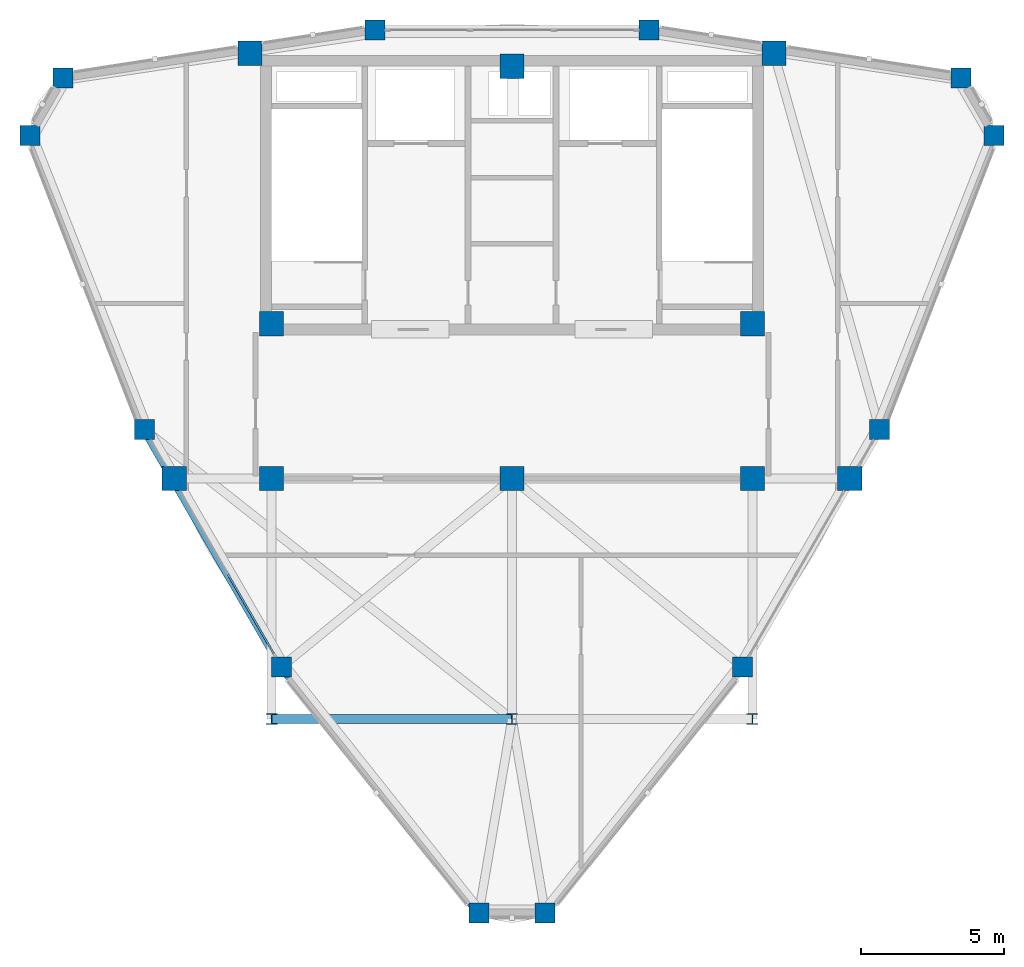
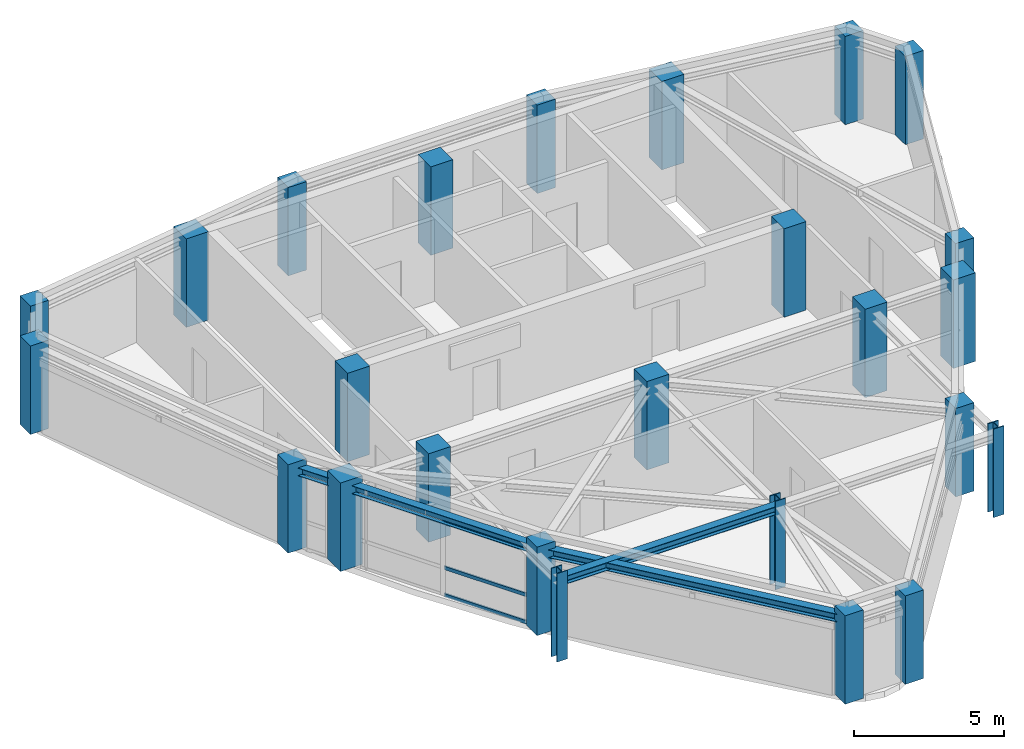
# One storey, part 1 of 13: 25 columns, 3 beams, 3 members, 1 element without a shape of its own.
"""IFC4 building model written with IfcOpenShell, lengths in metres."""

import ifcopenshell
import ifcopenshell.guid

model = None  # the IFC model being written
_history = None  # IfcOwnerHistory: only IFC2X3 demands one
_inside = {}  # id of a spatial element -> (the spatial element, [elements in it])
_under = {}  # id of a project, library or spatial element -> (it, [spatial elements below it])
_declared = {}  # id of a project -> (the project, [libraries it declares])
_typed = {}  # id of a type object -> (the type object, [elements of that type])
_made_of = {}  # id of a material, layer set ... -> (it, [elements and type objects made of it])


def new_model(schema):
    """Start an empty IFC model of exactly this schema.

    Asked for "IFC4X3", IfcOpenShell would pick the latest addendum, in which some entities
    have other attributes; the version numbers below select the first issue.
    IFC2X3 requires an IfcOwnerHistory on every rooted entity: one is made here for all.
    """
    global model, _history
    if schema == "IFC4X3":
        model = ifcopenshell.file(schema_version=(4, 3, 0, 0))
    else:
        model = ifcopenshell.file(schema=schema)
    _inside.clear()
    _under.clear()
    _declared.clear()
    _typed.clear()
    _made_of.clear()
    _history = None
    if model.schema == "IFC2X3":
        org = make("IfcOrganization", Name="unknown")
        user = make(
            "IfcPersonAndOrganization",
            ThePerson=make("IfcPerson", FamilyName="unknown"),
            TheOrganization=org,
        )
        app = make(
            "IfcApplication",
            ApplicationDeveloper=org,
            Version="unknown",
            ApplicationFullName="unknown",
            ApplicationIdentifier="unknown",
        )
        _history = make(
            "IfcOwnerHistory",
            OwningUser=user,
            OwningApplication=app,
            ChangeAction="ADDED",
            CreationDate=0,
        )
    return model


def make(cls, **values):
    """One entity of the class cls with the attributes given. An attribute that is None is left unset."""
    return model.create_entity(
        cls, **{name: value for name, value in values.items() if value is not None}
    )


def rooted(cls, **values):
    """An entity with a GlobalId (a new one), such as an element, a storey or a relation."""
    return make(cls, GlobalId=ifcopenshell.guid.new(), OwnerHistory=_history, **values)


def si_unit(unit_type, name, prefix=None):
    """IfcSIUnit, for example si_unit("LENGTHUNIT", "METRE", prefix="MILLI")."""
    return make("IfcSIUnit", UnitType=unit_type, Prefix=prefix, Name=name)


def derived_unit(unit_type, elements):
    """IfcDerivedUnit: a product of units, each with its exponent."""
    return make(
        "IfcDerivedUnit",
        Elements=[
            make("IfcDerivedUnitElement", Unit=unit, Exponent=power)
            for unit, power in elements
        ],
        UnitType=unit_type,
    )


def assignment(units):
    """IfcUnitAssignment: the units of a project."""
    return None if units is None else make("IfcUnitAssignment", Units=units)


def point(xyz):
    """IfcCartesianPoint."""
    return None if xyz is None else make("IfcCartesianPoint", Coordinates=xyz)


def direction(xyz):
    """IfcDirection."""
    return None if xyz is None else make("IfcDirection", DirectionRatios=xyz)


def frame(location, z_axis=None, x_axis=None):
    """IfcAxis2Placement3D, a coordinate frame: its origin and axes. An axis left out is left unset."""
    return make(
        "IfcAxis2Placement3D",
        Location=point(location),
        Axis=direction(z_axis),
        RefDirection=direction(x_axis),
    )


def frame_2d(location, x_axis=None):
    """IfcAxis2Placement2D, a coordinate frame in the plane: its origin and x axis."""
    return make(
        "IfcAxis2Placement2D", Location=point(location), RefDirection=direction(x_axis)
    )


def origin():
    """The frame at (0, 0, 0) with its axes left unset."""
    return frame((0.0, 0.0, 0.0))


def origin_2d():
    """The frame at (0, 0) in the plane with its x axis left unset."""
    return frame_2d((0.0, 0.0))


def place(relative_to, where):
    """IfcLocalPlacement: puts the frame where relative to a parent placement (None: the world)."""
    return make(
        "IfcLocalPlacement", PlacementRelTo=relative_to, RelativePlacement=where
    )


def context(
    kind, dimensions, precision=None, world=None, true_north=None, identifier=None
):
    """IfcGeometricRepresentationContext, for example the 3D "Model" context."""
    return make(
        "IfcGeometricRepresentationContext",
        ContextIdentifier=identifier,
        ContextType=kind,
        CoordinateSpaceDimension=dimensions,
        Precision=precision,
        WorldCoordinateSystem=world,
        TrueNorth=true_north,
    )


def subcontext(parent, identifier, kind, view, scale=None):
    """IfcGeometricRepresentationSubContext, for example "Body" below "Model"."""
    return make(
        "IfcGeometricRepresentationSubContext",
        ContextIdentifier=identifier,
        ContextType=kind,
        ParentContext=parent,
        TargetScale=scale,
        TargetView=view,
    )


def project(units=None, contexts=None):
    """IfcProject with its units and contexts."""
    return rooted(
        "IfcProject",
        Name="project",
        RepresentationContexts=contexts,
        UnitsInContext=assignment(units),
    )


def spatial(cls, under=None, at=None, **own):
    """A site, building, storey or space (cls), placed at a placement, below another one or the project."""
    s = rooted(cls, ObjectPlacement=at, **own)
    if under is not None:
        _under.setdefault(under.id(), (under, []))[1].append(s)
    return s


def profile(cls, at=None, kind="AREA", **sizes):
    """A parametric profile (cls). Its sizes go by their IFC names, for example OverallWidth=200.0."""
    return make(cls, ProfileType=kind, Position=at, **sizes)


def rectangle(**sizes):
    """IfcRectangleProfileDef."""
    return profile("IfcRectangleProfileDef", **sizes)


def hollow_rectangle(**sizes):
    """IfcRectangleHollowProfileDef."""
    return profile("IfcRectangleHollowProfileDef", **sizes)


def i_section(**sizes):
    """IfcIShapeProfileDef."""
    return profile("IfcIShapeProfileDef", **sizes)


def extrude(swept, where, along, depth):
    """IfcExtrudedAreaSolid: the profile swept, set in the frame where, extruded along a direction by depth."""
    return make(
        "IfcExtrudedAreaSolid",
        SweptArea=swept,
        Position=where,
        ExtrudedDirection=direction(along),
        Depth=depth,
    )


def shape(context_of_items, identifier, shape_type, items):
    """IfcShapeRepresentation: the items that make up one representation, for example the "Body"."""
    return make(
        "IfcShapeRepresentation",
        ContextOfItems=context_of_items,
        RepresentationIdentifier=identifier,
        RepresentationType=shape_type,
        Items=items,
    )


def source(mapping_origin, context_of_items, identifier, shape_type, items):
    """IfcRepresentationMap: a shape defined once, which mapped items show again and again."""
    return make(
        "IfcRepresentationMap",
        MappingOrigin=mapping_origin,
        MappedRepresentation=shape(context_of_items, identifier, shape_type, items),
    )


def transform(
    local_origin,
    x_axis=None,
    y_axis=None,
    z_axis=None,
    scale=None,
    scale2=None,
    scale3=None,
    uniform=True,
):
    """IfcCartesianTransformationOperator3D, or its non-uniform kind. x_axis, y_axis, z_axis: its Axis1, 2, 3."""
    if uniform:
        return make(
            "IfcCartesianTransformationOperator3D",
            Axis1=direction(x_axis),
            Axis2=direction(y_axis),
            LocalOrigin=point(local_origin),
            Scale=scale,
            Axis3=direction(z_axis),
        )
    return make(
        "IfcCartesianTransformationOperator3DnonUniform",
        Axis1=direction(x_axis),
        Axis2=direction(y_axis),
        LocalOrigin=point(local_origin),
        Scale=scale,
        Axis3=direction(z_axis),
        Scale2=scale2,
        Scale3=scale3,
    )


def mapped(mapping_source, mapping_target):
    """IfcMappedItem: shows the shape of a source again, moved by a transform."""
    return make(
        "IfcMappedItem", MappingSource=mapping_source, MappingTarget=mapping_target
    )


def material(Name=None, Category=None):
    """IfcMaterial."""
    return make("IfcMaterial", Name=Name, Category=Category)


def layer(
    of_material, thickness, ventilated=None, Name=None, Category=None, Priority=None
):
    """IfcMaterialLayer: one layer of a wall or slab, of a material (None: an air gap)."""
    return make(
        "IfcMaterialLayer",
        Material=of_material,
        LayerThickness=thickness,
        IsVentilated=ventilated,
        Name=Name,
        Category=Category,
        Priority=Priority,
    )


def layer_set(layers, Name=None):
    """IfcMaterialLayerSet."""
    return make("IfcMaterialLayerSet", MaterialLayers=layers, LayerSetName=Name)


def material_profile(
    of_material, cross_section, Name=None, Category=None, Priority=None
):
    """IfcMaterialProfile: a cross section and its material."""
    return make(
        "IfcMaterialProfile",
        Name=Name,
        Material=of_material,
        Profile=cross_section,
        Priority=Priority,
        Category=Category,
    )


def profile_set(profiles, Name=None, composite=None):
    """IfcMaterialProfileSet."""
    return make(
        "IfcMaterialProfileSet",
        Name=Name,
        MaterialProfiles=profiles,
        CompositeProfile=composite,
    )


def made_of(thing, what):
    """Note that an element or type object is made of a material, layer set ...; save() writes the relation."""
    if what is not None:
        _made_of.setdefault(what.id(), (what, []))[1].append(thing)
    return thing


def type_object(cls, material=None, **own):
    """A type object (cls), such as IfcWallType, which elements share."""
    return made_of(rooted(cls, **own), material)


def element(
    cls,
    number,
    at=None,
    inside=None,
    cuts=None,
    type_object=None,
    material=None,
    context=None,
    identifier="Body",
    shape_type=None,
    held_by="IfcProductDefinitionShape",
    body=None,
    shapes=None,
    **own,
):
    """One element of the class cls, such as IfcWall. Its Tag is "e" and its number.

    at: its placement. inside: the storey or other place that contains it. cuts: it is an
    opening in that element (IfcRelVoidsElement). A single representation is given by context,
    identifier, shape_type and body (its items); several are given by shapes. held_by: the class
    of the entity that holds the representations. save() writes the other relations.
    """
    e = rooted(cls, Tag="e%d" % number, ObjectPlacement=at, **own)
    if body is not None:
        shapes = [shape(context, identifier, shape_type, body)]
    if shapes is not None:
        e.Representation = make(held_by, Representations=shapes)
    if inside is not None:
        _inside.setdefault(inside.id(), (inside, []))[1].append(e)
    if cuts is not None:
        rooted(
            "IfcRelVoidsElement", RelatingBuildingElement=cuts, RelatedOpeningElement=e
        )
    if type_object is not None:
        _typed.setdefault(type_object.id(), (type_object, []))[1].append(e)
    return made_of(e, material)


def aggregate(whole, parts):
    """IfcRelAggregates: a whole, such as a stair, and the parts it consists of."""
    return rooted("IfcRelAggregates", RelatingObject=whole, RelatedObjects=parts)


def save(model, path):
    """Write the relations noted so far, then the file.

    IfcRelAggregates (storeys below a building ...), IfcRelContainedInSpatialStructure (elements
    in a storey), IfcRelDefinesByType, IfcRelAssociatesMaterial and IfcRelDeclares: one each for
    every whole, place, type object, material and project.
    """
    for whole, parts in _under.values():
        aggregate(whole, parts)
    for where, things in _inside.values():
        rooted(
            "IfcRelContainedInSpatialStructure",
            RelatedElements=things,
            RelatingStructure=where,
        )
    for kind, things in _typed.values():
        rooted("IfcRelDefinesByType", RelatedObjects=things, RelatingType=kind)
    for what, things in _made_of.values():
        rooted("IfcRelAssociatesMaterial", RelatedObjects=things, RelatingMaterial=what)
    for by, libraries in _declared.values():
        rooted("IfcRelDeclares", RelatingContext=by, RelatedDefinitions=libraries)
    model.write(path)


model = new_model("IFC4")

# Units and contexts
model_context = context("Model", 3, precision=1e-05, world=origin(), true_north=direction((0.0, 1.0)))
body_context = subcontext(model_context, "Body", "Model", "MODEL_VIEW")
ifc_project = project(units=[si_unit("LENGTHUNIT", "METRE"), si_unit("AREAUNIT", "SQUARE_METRE"), si_unit("VOLUMEUNIT", "CUBIC_METRE"), si_unit("PLANEANGLEUNIT", "RADIAN"), si_unit("MASSUNIT", "GRAM", prefix="KILO"), derived_unit("THERMALTRANSMITTANCEUNIT", [(si_unit("POWERUNIT", "WATT"), 1), (si_unit("LENGTHUNIT", "METRE"), -2), (si_unit("THERMODYNAMICTEMPERATUREUNIT", "KELVIN"), -1)])], contexts=[model_context])

# Site, building, storey
site_placement = place(None, origin())
site = spatial("IfcSite", under=ifc_project, at=site_placement, CompositionType="ELEMENT")
building_placement = place(site_placement, origin())
building = spatial("IfcBuilding", under=site, at=building_placement, Name="Korsvarv Bourse and Concert Hall", CompositionType="ELEMENT")
storey_placement = place(building_placement, frame((0.0, 0.0, 296.10009765625)))
storey = spatial("IfcBuildingStorey", under=building, at=storey_placement, Name="L77", CompositionType="ELEMENT", Elevation=296.10009765625)

# Columns
ifc_material_1 = material(Name="Concrete C50/60", Category="concrete")
ifc_material_profile_1 = material_profile(ifc_material_1, rectangle(XDim=0.85009765625, YDim=0.85009765625, at=origin_2d()), Name="RC 850x850")
ifc_profile_set_1 = profile_set([ifc_material_profile_1], Name="Concrete C50/60")
column_type_1 = type_object("IfcColumnType", Name="COL-RC850", PredefinedType="COLUMN", material=ifc_profile_set_1)
shared_shape_1 = source(origin(), body_context, "Body", "SweptSolid", [
    extrude(rectangle(XDim=0.85009765625, YDim=0.85009765625, at=origin_2d()), origin(), (0.0, 0.0, 1.0), 3.599853515625),
])
for number, where, z_axis, x_axis, name in (
    (1, (26.85009765625, 47.25, 0.0), (0.0, 0.0, 1.0), (1.0, 0.0, 0.0), "L77 column C-04"),
    (2, (45.14990234375, 47.25, 0.0), (0.0, 0.0, 1.0), (1.0, 0.0, 0.0), "L77 column C-04"),
    (3, (27.60009765625, 37.800048828125, 0.0), (0.0, 0.0, 1.0), (1.0, 0.0, 0.0), "L77 column C-04"),
    (4, (44.39990234375, 37.800048828125, 0.0), (0.0, 0.0, 1.0), (1.0, 0.0, 0.0), "L77 column C-04"),
    (5, (27.60009765625, 32.39990234375, 0.0), (0.0, 0.0, 1.0), (1.0, 0.0, 0.0), "L77 column C-04"),
    (6, (44.39990234375, 32.39990234375, 0.0), (0.0, 0.0, 1.0), (1.0, 0.0, 0.0), "L77 column C-04"),
    (7, (36.0, 46.800048828125, 0.0), (0.0, 0.0, 1.0), (1.0, 0.0, 0.0), "L77 column C-04"),
    (8, (36.0, 32.39990234375, 0.0), (0.0, 0.0, 1.0), (1.0, 0.0, 0.0), "L77 column C-04"),
    (9, (24.199951171875, 32.39990234375, 0.0), (0.0, 0.0, 1.0), (1.0, 0.0, 0.0), "L77 column C-04"),
    (10, (47.800048828125, 32.39990234375, 0.0), (0.0, 0.0, 1.0), (1.0, 0.0, 0.0), "L77 column C-04"),
):
    element("IfcColumn", number, at=place(storey_placement, frame(where, z_axis=z_axis, x_axis=x_axis)), inside=storey, type_object=column_type_1, Name=name, PredefinedType="COLUMN", context=body_context, shape_type="MappedRepresentation", body=[
        mapped(shared_shape_1, transform((0.0, 0.0, 0.0), scale=1.0)),
    ])
ifc_material_2 = material(Name="Steel S355", Category="steel")
ifc_material_profile_2 = material_profile(ifc_material_2, i_section(OverallWidth=0.40087890625, OverallDepth=0.39892578125, WebThickness=0.0224609375, FlangeThickness=0.035888671875, FilletRadius=0.014892578125, at=origin_2d()), Name="HD 400x314")
ifc_profile_set_2 = profile_set([ifc_material_profile_2], Name="Steel S355")
column_type_2 = type_object("IfcColumnType", Name="COL-HD314", PredefinedType="COLUMN", material=ifc_profile_set_2)
shared_shape_2 = source(origin(), body_context, "Body", "SweptSolid", [
    extrude(i_section(OverallWidth=0.40087890625, OverallDepth=0.39892578125, WebThickness=0.0224609375, FlangeThickness=0.035888671875, FilletRadius=0.014892578125, at=origin_2d()), origin(), (0.0, 0.0, 1.0), 3.599853515625),
])
for number, where, z_axis, x_axis, name in (
    (11, (27.60009765625, 24.0, 0.0), (0.0, 0.0, 1.0), (1.0, 0.0, 0.0), "L77 column C-11"),
    (12, (44.39990234375, 24.0, 0.0), (0.0, 0.0, 1.0), (1.0, 0.0, 0.0), "L77 column C-11"),
    (13, (36.0, 24.0, 0.0), (0.0, 0.0, 1.0), (1.0, 0.0, 0.0), "L77 column C-11"),
):
    element("IfcColumn", number, at=place(storey_placement, frame(where, z_axis=z_axis, x_axis=x_axis)), inside=storey, type_object=column_type_2, Name=name, PredefinedType="COLUMN", context=body_context, shape_type="MappedRepresentation", body=[
        mapped(shared_shape_2, transform((0.0, 0.0, 0.0), scale=1.0)),
    ])
ifc_material_profile_3 = material_profile(ifc_material_1, rectangle(XDim=0.699951171875, YDim=0.699951171875, at=origin_2d()), Name="RC 700x700")
ifc_profile_set_3 = profile_set([ifc_material_profile_3], Name="Concrete C50/60")
column_type_3 = type_object("IfcColumnType", Name="COL-RC700", PredefinedType="COLUMN", material=ifc_profile_set_3)
shared_shape_3 = source(origin(), body_context, "Body", "SweptSolid", [
    extrude(rectangle(XDim=0.699951171875, YDim=0.699951171875, at=origin_2d()), origin(), (0.0, 0.0, 1.0), 3.599853515625),
])
for number, where, z_axis, x_axis, name in (
    (14, (52.83544921875, 44.38232421875, 0.0), (0.0, 0.0, 1.0), (1.0, 0.0, 0.0), "L77 column C-05"),
    (15, (51.677001953125, 46.388916015625, 0.0), (0.0, 0.0, 1.0), (1.0, 0.0, 0.0), "L77 column C-05"),
    (16, (40.789794921875, 48.06494140625, 0.0), (0.0, 0.0, 1.0), (1.0, 0.0, 0.0), "L77 column C-05"),
    (17, (31.210205078125, 48.06494140625, 0.0), (0.0, 0.0, 1.0), (1.0, 0.0, 0.0), "L77 column C-05"),
    (18, (20.322998046875, 46.388916015625, 0.0), (0.0, 0.0, 1.0), (1.0, 0.0, 0.0), "L77 column C-05"),
    (19, (19.16455078125, 44.38232421875, 0.0), (0.0, 0.0, 1.0), (1.0, 0.0, 0.0), "L77 column C-05"),
    (20, (23.156494140625, 34.115478515625, 0.0), (0.0, 0.0, 1.0), (1.0, 0.0, 0.0), "L77 column C-05"),
    (21, (27.9462890625, 25.8193359375, 0.0), (0.0, 0.0, 1.0), (1.0, 0.0, 0.0), "L77 column C-05"),
    (22, (34.841552734375, 17.228759765625, 0.0), (0.0, 0.0, 1.0), (1.0, 0.0, 0.0), "L77 column C-05"),
    (23, (37.158447265625, 17.228759765625, 0.0), (0.0, 0.0, 1.0), (1.0, 0.0, 0.0), "L77 column C-05"),
    (24, (44.0537109375, 25.8193359375, 0.0), (0.0, 0.0, 1.0), (1.0, 0.0, 0.0), "L77 column C-05"),
    (25, (48.843505859375, 34.115478515625, 0.0), (0.0, 0.0, 1.0), (1.0, 0.0, 0.0), "L77 column C-05"),
):
    element("IfcColumn", number, at=place(storey_placement, frame(where, z_axis=z_axis, x_axis=x_axis)), inside=storey, type_object=column_type_3, Name=name, PredefinedType="COLUMN", context=body_context, shape_type="MappedRepresentation", body=[
        mapped(shared_shape_3, transform((0.0, 0.0, 0.0), scale=1.0)),
    ])

# Beams
ifc_material_profile_4 = material_profile(ifc_material_2, i_section(OverallWidth=0.300048828125, OverallDepth=0.330078125, WebThickness=0.009521484375, FlangeThickness=0.0166015625, FilletRadius=0.02099609375, at=origin_2d()), Name="HEA 340")
ifc_profile_set_4 = profile_set([ifc_material_profile_4], Name="Steel S355")
beam_type = type_object("IfcBeamType", Name="BM-HEA340", PredefinedType="BEAM", material=ifc_profile_set_4)
shared_shape_4 = source(origin(), body_context, "Body", "SweptSolid", [
    extrude(i_section(OverallWidth=0.300048828125, OverallDepth=0.330078125, WebThickness=0.009521484375, FlangeThickness=0.0166015625, FilletRadius=0.02099609375, at=origin_2d()), origin(), (0.0, 0.0, 1.0), 8.39990234375),
])
beam_1_placement = place(storey_placement, frame((27.60009765625, 24.0, 3.1748046875), z_axis=(1.0, 0.0, 0.0), x_axis=(0.0, 1.0, 0.0)))
element("IfcBeam", 26, at=beam_1_placement, inside=storey, type_object=beam_type, Name="L77 beam B-12", PredefinedType="BEAM", context=body_context, shape_type="MappedRepresentation", body=[
    mapped(shared_shape_4, transform((0.0, 0.0, 0.0), scale=1.0)),
])
shared_shape_5 = source(origin(), body_context, "Body", "SweptSolid", [
    extrude(i_section(OverallWidth=0.300048828125, OverallDepth=0.330078125, WebThickness=0.009521484375, FlangeThickness=0.0166015625, FilletRadius=0.02099609375, at=origin_2d()), origin(), (0.0, 0.0, 1.0), 9.57958984375),
])
beam_2_placement = place(storey_placement, frame((23.156494140625, 34.115478515625, 3.1748046875), z_axis=(0.500001156458, -0.866024736102, 0.0), x_axis=(0.866024736102, 0.500001156458, 0.0)))
element("IfcBeam", 27, at=beam_2_placement, inside=storey, type_object=beam_type, Name="L77 beam B-12", PredefinedType="BEAM", context=body_context, shape_type="MappedRepresentation", body=[
    mapped(shared_shape_5, transform((0.0, 0.0, 0.0), scale=1.0)),
])
shared_shape_6 = source(origin(), body_context, "Body", "SweptSolid", [
    extrude(i_section(OverallWidth=0.300048828125, OverallDepth=0.330078125, WebThickness=0.009521484375, FlangeThickness=0.0166015625, FilletRadius=0.02099609375, at=origin_2d()), origin(), (0.0, 0.0, 1.0), 11.015625),
])
beam_3_placement = place(storey_placement, frame((27.9462890625, 25.8193359375, 3.1748046875), z_axis=(0.625956455116, -0.779858010345, 0.0), x_axis=(0.779858010345, 0.625956455116, 0.0)))
element("IfcBeam", 28, at=beam_3_placement, inside=storey, type_object=beam_type, Name="L77 beam B-12", PredefinedType="BEAM", context=body_context, shape_type="MappedRepresentation", body=[
    mapped(shared_shape_6, transform((0.0, 0.0, 0.0), scale=1.0)),
])

# Curtain wall, members
ifc_material_3 = material(Name="Anodised aluminium and triple low-E glazing", Category="glass")
ifc_layer = layer(ifc_material_3, 0.22998046875)
ifc_layer_set = layer_set([ifc_layer], Name="Anodised aluminium and triple low-E glazing")
curtain_wall_type = type_object("IfcCurtainWallType", Name="CW-SYS-6", PredefinedType="NOTDEFINED", material=ifc_layer_set)
curtain_wall_placement = place(storey_placement, origin())
curtain_wall = element("IfcCurtainWall", 29, at=curtain_wall_placement, inside=storey, type_object=curtain_wall_type, Name="L77 CW6 curtain wall CW-L77-CRN07-2", PredefinedType="NOTDEFINED")
ifc_material_4 = material(Name="Extruded aluminium EN AW-6063 T66", Category="aluminium")
ifc_material_profile_5 = material_profile(ifc_material_4, hollow_rectangle(XDim=0.06494140625, YDim=0.139892578125, WallThickness=0.00390625, at=origin_2d()), Name="ALU-T 65x140")
ifc_profile_set_5 = profile_set([ifc_material_profile_5], Name="Extruded aluminium EN AW-6063 T66")
member_type = type_object("IfcMemberType", Name="CWT-140", PredefinedType="USERDEFINED", material=ifc_profile_set_5)
shared_shape_7 = source(origin(), body_context, "Body", "SweptSolid", [
    extrude(hollow_rectangle(XDim=0.06494140625, YDim=0.139892578125, WallThickness=0.00390625, at=origin_2d()), origin(), (0.0, 0.0, 1.0), 3.189208984375),
])
member_1_placement = place(storey_placement, frame((26.0859375, 29.0419921875, 0.032470703125), z_axis=(0.499967640965, -0.866044085476, 0.0), x_axis=(0.866044085476, 0.499967640965, 0.0)))
member_1 = element("IfcMember", 30, at=member_1_placement, type_object=member_type, Name="CW6 transom 2.1", ObjectType="TRANSOM", PredefinedType="USERDEFINED", context=body_context, shape_type="MappedRepresentation", body=[
    mapped(shared_shape_7, transform((0.0, 0.0, 0.0), scale=1.0)),
])
member_2_placement = place(storey_placement, frame((26.0859375, 29.0419921875, 1.143798828125), z_axis=(0.499967640965, -0.866044085476, 0.0), x_axis=(0.866044085476, 0.499967640965, 0.0)))
member_2 = element("IfcMember", 31, at=member_2_placement, type_object=member_type, Name="CW6 transom 2.2", ObjectType="TRANSOM", PredefinedType="USERDEFINED", context=body_context, shape_type="MappedRepresentation", body=[
    mapped(shared_shape_7, transform((0.0, 0.0, 0.0), scale=1.0)),
])
member_3_placement = place(storey_placement, frame((26.0859375, 29.0419921875, 2.977294921875), z_axis=(0.499967640965, -0.866044085476, 0.0), x_axis=(0.866044085476, 0.499967640965, 0.0)))
member_3 = element("IfcMember", 32, at=member_3_placement, type_object=member_type, Name="CW6 transom 2.3", ObjectType="TRANSOM", PredefinedType="USERDEFINED", context=body_context, shape_type="MappedRepresentation", body=[
    mapped(shared_shape_7, transform((0.0, 0.0, 0.0), scale=1.0)),
])
aggregate(curtain_wall, [member_1, member_2, member_3])

save(model, "model.ifc")
